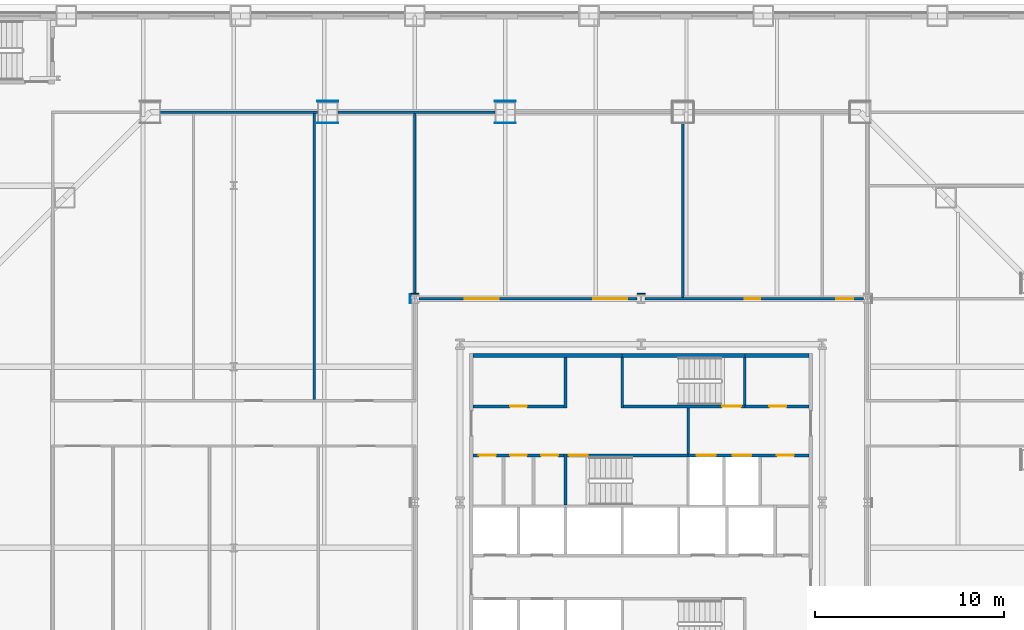
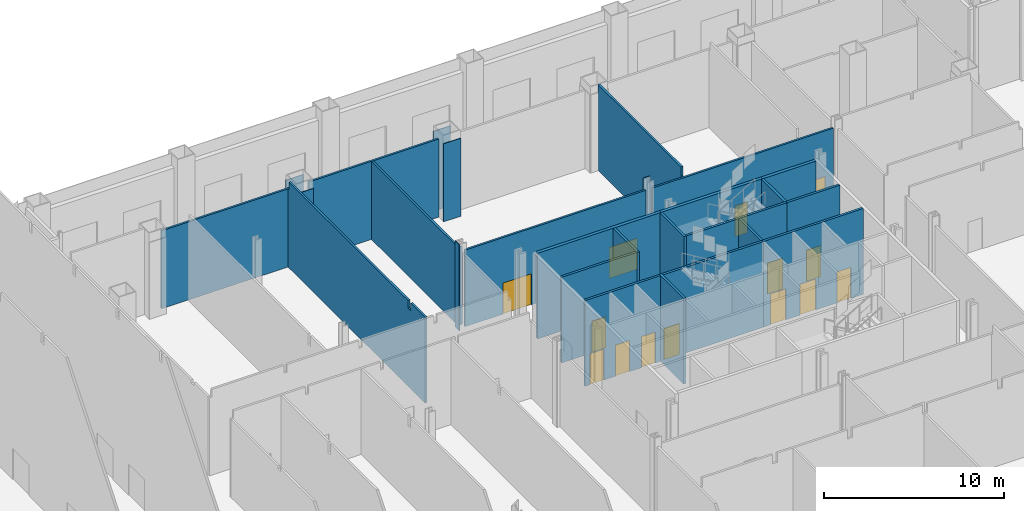
# One storey, part 20 of 31: 28 walls, 14 doors, 14 openings.
"""IFC4 building model written with IfcOpenShell, lengths in metres."""

from ifc_helpers import new_model, si_unit, direction, frame, frame_2d, origin, place, context, subcontext, project, spatial, polyline, rectangle, outline, extrude, material, layer, layer_set, type_object, element, fill, save


model = new_model("IFC4")

# Units and contexts
model_context = context("Model", 3, precision=1e-05, world=origin(), true_north=direction((0.0, 1.0)))
body_context = subcontext(model_context, "Body", "Model", "MODEL_VIEW")
ifc_project = project(units=[si_unit("LENGTHUNIT", "METRE"), si_unit("AREAUNIT", "SQUARE_METRE"), si_unit("VOLUMEUNIT", "CUBIC_METRE"), si_unit("PLANEANGLEUNIT", "RADIAN"), si_unit("MASSUNIT", "GRAM", prefix="KILO")], contexts=[model_context])

# Site, building, storey
site_placement = place(None, origin())
site = spatial("IfcSite", under=ifc_project, at=site_placement, CompositionType="ELEMENT")
building_placement = place(site_placement, origin())
building = spatial("IfcBuilding", under=site, at=building_placement, Name="Cairn Pilgrim Tower", CompositionType="ELEMENT")
storey_placement = place(building_placement, frame((0.0, 0.0, 9.0)))
storey = spatial("IfcBuildingStorey", under=building, at=storey_placement, Name="L01", CompositionType="ELEMENT", Elevation=9.0)

# Walls
ifc_material_1 = material(Name="Concrete C32/40", Category="concrete")
ifc_layer_1 = layer(ifc_material_1, 0.199951171875)
ifc_layer_set_1 = layer_set([ifc_layer_1], Name="CORE OUTER WALL 200 EI 120")
wall_type_1 = type_object("IfcWallType", Name="CORE OUTER WALL 200 EI 120", PredefinedType="SOLIDWALL", material=ifc_layer_set_1)
wall_1_placement = place(storey_placement, frame((-1.699951171875, 10.199951171875, 0.0), z_axis=(0.0, 0.0, 1.0), x_axis=(1.0, 0.0, 0.0)))
element("IfcWall", 1, at=wall_1_placement, inside=storey, type_object=wall_type_1, Name="CW:L01:H11-1", PredefinedType="SOLIDWALL", context=body_context, shape_type="SweptSolid", body=[
    extrude(rectangle(XDim=7.89990234375, YDim=0.199951171875, at=frame_2d((3.949951171875, 0.0))), origin(), (0.0, 0.0, 1.0), 5.800048828125),
])
wall_2_placement = place(storey_placement, frame((12.699951171875, 10.199951171875, 0.0), z_axis=(0.0, 0.0, 1.0), x_axis=(1.0, 0.0, 0.0)))
element("IfcWall", 2, at=wall_2_placement, inside=storey, type_object=wall_type_1, Name="CW:L01:H11-3", PredefinedType="SOLIDWALL", context=body_context, shape_type="SweptSolid", body=[
    extrude(rectangle(XDim=3.400146484375, YDim=0.199951171875, at=frame_2d((1.7001953125, 0.0))), origin(), (0.0, 0.0, 1.0), 5.800048828125),
])

# Wall, openings, doors
ifc_layer_2 = layer(ifc_material_1, 0.14990234375)
ifc_layer_set_2 = layer_set([ifc_layer_2], Name="CORE PARTITION 150 EI 60")
wall_type_2 = type_object("IfcWallType", Name="CORE PARTITION 150 EI 60", PredefinedType="PARTITIONING", material=ifc_layer_set_2)
wall_3_placement = place(storey_placement, frame((-1.699951171875, 4.89990234375, 0.0), z_axis=(0.0, 0.0, 1.0), x_axis=(1.0, 0.0, 0.0)))
wall_3 = element("IfcWall", 3, at=wall_3_placement, inside=storey, type_object=wall_type_2, Name="CW:L01:H07", PredefinedType="PARTITIONING", context=body_context, shape_type="SweptSolid", body=[
    extrude(rectangle(XDim=4.824951171875, YDim=0.14990234375, at=frame_2d((2.41259765625, 0.0))), origin(), (0.0, 0.0, 1.0), 5.800048828125),
])
opening_1_placement = place(wall_3_placement, frame((0.300048828125, 0.0, 0.0)))
opening_1 = element("IfcOpeningElement", 4, at=opening_1_placement, cuts=wall_3, Name="Opening RD-R3W1", PredefinedType="OPENING", context=body_context, shape_type="SweptSolid", body=[
    extrude(rectangle(XDim=0.89990234375, YDim=2.10009765625, at=frame_2d((0.449951171875, 1.050048828125))), frame((0.0, 0.0849609375, 0.0), z_axis=(0.0, -1.0, 0.0), x_axis=(1.0, 0.0, 0.0)), (0.0, 0.0, 1.0), 0.169921875),
])
opening_2_placement = place(wall_3_placement, frame((1.949951171875, 0.0, 0.0)))
opening_2 = element("IfcOpeningElement", 5, at=opening_2_placement, cuts=wall_3, Name="Opening RD-R3W2", PredefinedType="OPENING", context=body_context, shape_type="SweptSolid", body=[
    extrude(rectangle(XDim=0.89990234375, YDim=2.10009765625, at=frame_2d((0.449951171875, 1.050048828125))), frame((0.0, 0.0849609375, 0.0), z_axis=(0.0, -1.0, 0.0), x_axis=(1.0, 0.0, 0.0)), (0.0, 0.0, 1.0), 0.169921875),
])
opening_3_placement = place(wall_3_placement, frame((3.60009765625, 0.0, 0.0)))
opening_3 = element("IfcOpeningElement", 6, at=opening_3_placement, cuts=wall_3, Name="Opening RD-R3W3", PredefinedType="OPENING", context=body_context, shape_type="SweptSolid", body=[
    extrude(rectangle(XDim=0.89990234375, YDim=2.10009765625, at=frame_2d((0.449951171875, 1.050048828125))), frame((0.0, 0.0849609375, 0.0), z_axis=(0.0, -1.0, 0.0), x_axis=(1.0, 0.0, 0.0)), (0.0, 0.0, 1.0), 0.169921875),
])
ifc_material_2 = material(Name="Painted steel", Category="steel")
door_type_1 = type_object("IfcDoorType", Name="SERVICE ROOM DOOR 900x2100", OperationType="SINGLE_SWING_LEFT", PredefinedType="DOOR", material=ifc_material_2)
door_1_placement = place(opening_1_placement, origin())
door_1 = element("IfcDoor", 7, at=door_1_placement, inside=storey, type_object=door_type_1, Name="RD-R3W1", OperationType="SINGLE_SWING_RIGHT", OverallHeight=2.10009765625, OverallWidth=0.89990234375, PredefinedType="DOOR", context=body_context, shape_type="SweptSolid", body=[
    extrude(rectangle(XDim=0.89990234375, YDim=2.10009765625, at=frame_2d((0.449951171875, 1.050048828125))), frame((0.0, 0.02490234375, 0.0), z_axis=(0.0, -1.0, 0.0), x_axis=(1.0, 0.0, 0.0)), (0.0, 0.0, 1.0), 0.050048828125),
])
fill(opening_1, door_1)
door_2_placement = place(opening_2_placement, origin())
door_2 = element("IfcDoor", 8, at=door_2_placement, inside=storey, type_object=door_type_1, Name="RD-R3W2", OperationType="SINGLE_SWING_LEFT", OverallHeight=2.10009765625, OverallWidth=0.89990234375, PredefinedType="DOOR", context=body_context, shape_type="SweptSolid", body=[
    extrude(rectangle(XDim=0.89990234375, YDim=2.10009765625, at=frame_2d((0.449951171875, 1.050048828125))), frame((0.0, 0.02490234375, 0.0), z_axis=(0.0, -1.0, 0.0), x_axis=(1.0, 0.0, 0.0)), (0.0, 0.0, 1.0), 0.050048828125),
])
fill(opening_2, door_2)
door_3_placement = place(opening_3_placement, origin())
door_3 = element("IfcDoor", 9, at=door_3_placement, inside=storey, type_object=door_type_1, Name="RD-R3W3", OperationType="SINGLE_SWING_RIGHT", OverallHeight=2.10009765625, OverallWidth=0.89990234375, PredefinedType="DOOR", context=body_context, shape_type="SweptSolid", body=[
    extrude(rectangle(XDim=0.89990234375, YDim=2.10009765625, at=frame_2d((0.449951171875, 1.050048828125))), frame((0.0, 0.02490234375, 0.0), z_axis=(0.0, -1.0, 0.0), x_axis=(1.0, 0.0, 0.0)), (0.0, 0.0, 1.0), 0.050048828125),
])
fill(opening_3, door_3)

# Wall, opening, door
wall_4_placement = place(storey_placement, frame((-1.699951171875, 7.5, 0.0), z_axis=(0.0, 0.0, 1.0), x_axis=(1.0, 0.0, 0.0)))
wall_4 = element("IfcWall", 10, at=wall_4_placement, inside=storey, type_object=wall_type_2, Name="CW:L01:H09", PredefinedType="PARTITIONING", context=body_context, shape_type="SweptSolid", body=[
    extrude(rectangle(XDim=4.824951171875, YDim=0.14990234375, at=frame_2d((2.41259765625, 0.0))), origin(), (0.0, 0.0, 1.0), 5.800048828125),
])
opening_4_placement = place(wall_4_placement, frame((1.949951171875, 0.0, 0.0)))
opening_4 = element("IfcOpeningElement", 11, at=opening_4_placement, cuts=wall_4, Name="Opening RD-R4W1", PredefinedType="OPENING", context=body_context, shape_type="SweptSolid", body=[
    extrude(rectangle(XDim=0.89990234375, YDim=2.10009765625, at=frame_2d((0.449951171875, 1.050048828125))), frame((0.0, 0.0849609375, 0.0), z_axis=(0.0, -1.0, 0.0), x_axis=(1.0, 0.0, 0.0)), (0.0, 0.0, 1.0), 0.169921875),
])
door_4_placement = place(opening_4_placement, origin())
door_4 = element("IfcDoor", 12, at=door_4_placement, inside=storey, type_object=door_type_1, Name="RD-R4W1", OperationType="SINGLE_SWING_LEFT", OverallHeight=2.10009765625, OverallWidth=0.89990234375, PredefinedType="DOOR", context=body_context, shape_type="SweptSolid", body=[
    extrude(rectangle(XDim=0.89990234375, YDim=2.10009765625, at=frame_2d((0.449951171875, 1.050048828125))), frame((0.0, 0.02490234375, 0.0), z_axis=(0.0, -1.0, 0.0), x_axis=(1.0, 0.0, 0.0)), (0.0, 0.0, 1.0), 0.050048828125),
])
fill(opening_4, door_4)

# Wall
wall_5_placement = place(storey_placement, frame((3.199951171875, 7.425048828125, 0.0), z_axis=(0.0, 0.0, 1.0), x_axis=(0.0, 1.0, 0.0)))
element("IfcWall", 13, at=wall_5_placement, inside=storey, type_object=wall_type_2, Name="CW:L01:V20", PredefinedType="PARTITIONING", context=body_context, shape_type="SweptSolid", body=[
    extrude(rectangle(XDim=2.675048828125, YDim=0.14990234375, at=frame_2d((1.33740234375, 0.0))), origin(), (0.0, 0.0, 1.0), 5.800048828125),
])

# Wall, openings, doors
ifc_layer_3 = layer(ifc_material_1, 0.14990234375)
ifc_layer_set_3 = layer_set([ifc_layer_3], Name="CORE SHAFT WALL 150 EI 120")
wall_type_3 = type_object("IfcWallType", Name="CORE SHAFT WALL 150 EI 120", PredefinedType="SOLIDWALL", material=ifc_layer_set_3)
wall_6_placement = place(storey_placement, frame((9.699951171875, 4.89990234375, 0.0), z_axis=(0.0, 0.0, 1.0), x_axis=(1.0, 0.0, 0.0)))
wall_6 = element("IfcWall", 14, at=wall_6_placement, inside=storey, type_object=wall_type_3, Name="CW:L01:H08-2", PredefinedType="SOLIDWALL", context=body_context, shape_type="SweptSolid", body=[
    extrude(rectangle(XDim=6.400146484375, YDim=0.14990234375, at=frame_2d((3.2001953125, 0.0))), origin(), (0.0, 0.0, 1.0), 5.800048828125),
])
opening_5_placement = place(wall_6_placement, frame((0.449951171875, 0.0, 0.0)))
opening_5 = element("IfcOpeningElement", 15, at=opening_5_placement, cuts=wall_6, Name="Opening LD-FF1", PredefinedType="OPENING", context=body_context, shape_type="SweptSolid", body=[
    extrude(rectangle(XDim=1.0, YDim=2.10009765625, at=frame_2d((0.5, 1.050048828125))), frame((0.0, 0.0849609375, 0.0), z_axis=(0.0, -1.0, 0.0), x_axis=(1.0, 0.0, 0.0)), (0.0, 0.0, 1.0), 0.169921875),
])
opening_6_placement = place(wall_6_placement, frame((2.35009765625, 0.0, 0.0)))
opening_6 = element("IfcOpeningElement", 16, at=opening_6_placement, cuts=wall_6, Name="Opening LD-FF2", PredefinedType="OPENING", context=body_context, shape_type="SweptSolid", body=[
    extrude(rectangle(XDim=1.0, YDim=2.10009765625, at=frame_2d((0.5, 1.050048828125))), frame((0.0, 0.0849609375, 0.0), z_axis=(0.0, -1.0, 0.0), x_axis=(1.0, 0.0, 0.0)), (0.0, 0.0, 1.0), 0.169921875),
])
opening_7_placement = place(wall_6_placement, frame((4.699951171875, 0.0, 0.0)))
opening_7 = element("IfcOpeningElement", 17, at=opening_7_placement, cuts=wall_6, Name="Opening RD-R3E", PredefinedType="OPENING", context=body_context, shape_type="SweptSolid", body=[
    extrude(rectangle(XDim=0.89990234375, YDim=2.10009765625, at=frame_2d((0.449951171875, 1.050048828125))), frame((0.0, 0.0849609375, 0.0), z_axis=(0.0, -1.0, 0.0), x_axis=(1.0, 0.0, 0.0)), (0.0, 0.0, 1.0), 0.169921875),
])
ifc_material_3 = material(Name="Stainless steel", Category="steel")
door_type_2 = type_object("IfcDoorType", Name="LIFT LANDING DOOR FIRE 1000x2100", OperationType="DOUBLE_DOOR_SLIDING", PredefinedType="DOOR", material=ifc_material_3)
door_5_placement = place(opening_5_placement, origin())
door_5 = element("IfcDoor", 18, at=door_5_placement, inside=storey, type_object=door_type_2, Name="LANDING DOOR FF1", OperationType="DOUBLE_DOOR_SLIDING", OverallHeight=2.10009765625, OverallWidth=1.0, PredefinedType="DOOR", context=body_context, shape_type="SweptSolid", body=[
    extrude(rectangle(XDim=1.0, YDim=2.10009765625, at=frame_2d((0.5, 1.050048828125))), frame((0.0, 0.02490234375, 0.0), z_axis=(0.0, -1.0, 0.0), x_axis=(1.0, 0.0, 0.0)), (0.0, 0.0, 1.0), 0.050048828125),
])
fill(opening_5, door_5)
door_6_placement = place(opening_6_placement, origin())
door_6 = element("IfcDoor", 19, at=door_6_placement, inside=storey, type_object=door_type_2, Name="LANDING DOOR FF2", OperationType="DOUBLE_DOOR_SLIDING", OverallHeight=2.10009765625, OverallWidth=1.0, PredefinedType="DOOR", context=body_context, shape_type="SweptSolid", body=[
    extrude(rectangle(XDim=1.0, YDim=2.10009765625, at=frame_2d((0.5, 1.050048828125))), frame((0.0, 0.02490234375, 0.0), z_axis=(0.0, -1.0, 0.0), x_axis=(1.0, 0.0, 0.0)), (0.0, 0.0, 1.0), 0.050048828125),
])
fill(opening_6, door_6)
door_7_placement = place(opening_7_placement, origin())
door_7 = element("IfcDoor", 20, at=door_7_placement, inside=storey, type_object=door_type_1, Name="RD-R3E", OperationType="SINGLE_SWING_RIGHT", OverallHeight=2.10009765625, OverallWidth=0.89990234375, PredefinedType="DOOR", context=body_context, shape_type="SweptSolid", body=[
    extrude(rectangle(XDim=0.89990234375, YDim=2.10009765625, at=frame_2d((0.449951171875, 1.050048828125))), frame((0.0, 0.02490234375, 0.0), z_axis=(0.0, -1.0, 0.0), x_axis=(1.0, 0.0, 0.0)), (0.0, 0.0, 1.0), 0.050048828125),
])
fill(opening_7, door_7)

# Wall, opening, door
wall_7_placement = place(storey_placement, frame((12.699951171875, 7.5, 0.0), z_axis=(0.0, 0.0, 1.0), x_axis=(1.0, 0.0, 0.0)))
wall_7 = element("IfcWall", 21, at=wall_7_placement, inside=storey, type_object=wall_type_3, Name="CW:L01:H10-2", PredefinedType="SOLIDWALL", context=body_context, shape_type="SweptSolid", body=[
    extrude(rectangle(XDim=3.400146484375, YDim=0.14990234375, at=frame_2d((1.7001953125, 0.0))), origin(), (0.0, 0.0, 1.0), 5.800048828125),
])
opening_8_placement = place(wall_7_placement, frame((1.300048828125, 0.0, 0.0)))
opening_8 = element("IfcOpeningElement", 22, at=opening_8_placement, cuts=wall_7, Name="Opening RD-R4E", PredefinedType="OPENING", context=body_context, shape_type="SweptSolid", body=[
    extrude(rectangle(XDim=0.89990234375, YDim=2.10009765625, at=frame_2d((0.449951171875, 1.050048828125))), frame((0.0, 0.0849609375, 0.0), z_axis=(0.0, -1.0, 0.0), x_axis=(1.0, 0.0, 0.0)), (0.0, 0.0, 1.0), 0.169921875),
])
door_8_placement = place(opening_8_placement, origin())
door_8 = element("IfcDoor", 23, at=door_8_placement, inside=storey, type_object=door_type_1, Name="RD-R4E", OperationType="SINGLE_SWING_LEFT", OverallHeight=2.10009765625, OverallWidth=0.89990234375, PredefinedType="DOOR", context=body_context, shape_type="SweptSolid", body=[
    extrude(rectangle(XDim=0.89990234375, YDim=2.10009765625, at=frame_2d((0.449951171875, 1.050048828125))), frame((0.0, 0.02490234375, 0.0), z_axis=(0.0, -1.0, 0.0), x_axis=(1.0, 0.0, 0.0)), (0.0, 0.0, 1.0), 0.050048828125),
])
fill(opening_8, door_8)

# Walls
wall_8_placement = place(storey_placement, frame((9.699951171875, 4.97509765625, 0.0), z_axis=(0.0, 0.0, 1.0), x_axis=(0.0, 1.0, 0.0)))
element("IfcWall", 24, at=wall_8_placement, inside=storey, type_object=wall_type_3, Name="CW:L01:V26", PredefinedType="SOLIDWALL", context=body_context, shape_type="SweptSolid", body=[
    extrude(rectangle(XDim=2.449951171875, YDim=0.14990234375, at=frame_2d((1.22509765625, 0.0))), origin(), (0.0, 0.0, 1.0), 5.800048828125),
])
ifc_material_4 = material(Name="Gypsum partition")
ifc_layer_4 = layer(ifc_material_4, 0.125)
ifc_layer_set_4 = layer_set([ifc_layer_4], Name="PARTITION 125 DRYWALL EI 60")
wall_type_4 = type_object("IfcWallType", Name="PARTITION 125 DRYWALL EI 60", PredefinedType="PARTITIONING", material=ifc_layer_set_4)
wall_9_placement = place(storey_placement, frame((-10.133056640625, 7.862548828125, 0.0), z_axis=(0.0, 0.0, 1.0), x_axis=(0.0, 1.0, 0.0)))
element("IfcWall", 25, at=wall_9_placement, inside=storey, type_object=wall_type_4, Name="PARTITION W053", PredefinedType="PARTITIONING", context=body_context, shape_type="SweptSolid", body=[
    extrude(outline(polyline([(0.0, 0.0), (15.175048828125, 0.0), (15.175048828125, 5.280029296875), (15.08740234375, 5.280029296875), (15.08544921875, 5.800048828125), (1.887451171875, 5.800048828125), (1.885498046875, 5.280029296875), (1.58740234375, 5.280029296875), (1.58544921875, 5.800048828125), (0.0, 5.800048828125), (0.0, 0.0)])), frame((0.0, 0.0625, 0.0), z_axis=(0.0, -1.0, 0.0), x_axis=(1.0, 0.0, 0.0)), (0.0, 0.0, 1.0), 0.125),
])

# Wall, openings, doors
wall_10_placement = place(storey_placement, frame((-4.587890625, 13.199951171875, 0.0), z_axis=(0.0, 0.0, 1.0), x_axis=(1.0, 0.0, 0.0)))
wall_10 = element("IfcWall", 26, at=wall_10_placement, inside=storey, type_object=wall_type_4, Name="PARTITION W058", PredefinedType="PARTITIONING", context=body_context, shape_type="SweptSolid", body=[
    extrude(rectangle(XDim=11.575927734375, YDim=0.125, at=frame_2d((5.7880859375, 0.0))), origin(), (0.0, 0.0, 1.0), 5.179931640625),
])
opening_9_placement = place(wall_10_placement, frame((2.4404296875, 0.0, 0.0)))
opening_9 = element("IfcOpeningElement", 27, at=opening_9_placement, cuts=wall_10, Name="Opening 0108", PredefinedType="OPENING", context=body_context, shape_type="SweptSolid", body=[
    extrude(rectangle(XDim=1.800048828125, YDim=2.10009765625, at=frame_2d((0.89990234375, 1.050048828125))), frame((0.0, 0.072509765625, 0.0), z_axis=(0.0, -1.0, 0.0), x_axis=(1.0, 0.0, 0.0)), (0.0, 0.0, 1.0), 0.14501953125),
])
opening_10_placement = place(wall_10_placement, frame((9.24560546875, 0.0, 0.0)))
opening_10 = element("IfcOpeningElement", 28, at=opening_10_placement, cuts=wall_10, Name="Opening 0109", PredefinedType="OPENING", context=body_context, shape_type="SweptSolid", body=[
    extrude(rectangle(XDim=1.800048828125, YDim=2.10009765625, at=frame_2d((0.89990234375, 1.050048828125))), frame((0.0, 0.072509765625, 0.0), z_axis=(0.0, -1.0, 0.0), x_axis=(1.0, 0.0, 0.0)), (0.0, 0.0, 1.0), 0.14501953125),
])
ifc_material_5 = material(Name="Timber door leaf", Category="wood")
door_type_3 = type_object("IfcDoorType", Name="DOOR PAIR 1800x2100 FD60S", OperationType="NOTDEFINED", PredefinedType="DOOR", material=ifc_material_5)
door_9_placement = place(opening_9_placement, frame((1.800048828125, 0.0, 0.0), z_axis=(0.0, 0.0, 1.0), x_axis=(-1.0, 0.0, 0.0)))
door_9 = element("IfcDoor", 29, at=door_9_placement, inside=storey, type_object=door_type_3, Name="DOOR 0108", OperationType="DOUBLE_DOOR_SINGLE_SWING", OverallHeight=2.10009765625, OverallWidth=1.800048828125, PredefinedType="DOOR", context=body_context, shape_type="SweptSolid", body=[
    extrude(rectangle(XDim=1.800048828125, YDim=2.10009765625, at=frame_2d((0.89990234375, 1.050048828125))), frame((0.0, 0.02490234375, 0.0), z_axis=(0.0, -1.0, 0.0), x_axis=(1.0, 0.0, 0.0)), (0.0, 0.0, 1.0), 0.050048828125),
])
fill(opening_9, door_9)
door_10_placement = place(opening_10_placement, frame((1.800048828125, 0.0, 0.0), z_axis=(0.0, 0.0, 1.0), x_axis=(-1.0, 0.0, 0.0)))
door_10 = element("IfcDoor", 30, at=door_10_placement, inside=storey, type_object=door_type_3, Name="DOOR 0109", OperationType="DOUBLE_DOOR_SINGLE_SWING", OverallHeight=2.10009765625, OverallWidth=1.800048828125, PredefinedType="DOOR", context=body_context, shape_type="SweptSolid", body=[
    extrude(rectangle(XDim=1.800048828125, YDim=2.10009765625, at=frame_2d((0.89990234375, 1.050048828125))), frame((0.0, 0.02490234375, 0.0), z_axis=(0.0, -1.0, 0.0), x_axis=(1.0, 0.0, 0.0)), (0.0, 0.0, 1.0), 0.050048828125),
])
fill(opening_10, door_10)

wall_11_placement = place(storey_placement, frame((7.412109375, 13.199951171875, 0.0), z_axis=(0.0, 0.0, 1.0), x_axis=(1.0, 0.0, 0.0)))
wall_11 = element("IfcWall", 31, at=wall_11_placement, inside=storey, type_object=wall_type_4, Name="PARTITION W059", PredefinedType="PARTITIONING", context=body_context, shape_type="SweptSolid", body=[
    extrude(rectangle(XDim=11.575927734375, YDim=0.125, at=frame_2d((5.7880859375, 0.0))), origin(), (0.0, 0.0, 1.0), 5.179931640625),
])
opening_11_placement = place(wall_11_placement, frame((5.29296875, 0.0, 0.0)))
opening_11 = element("IfcOpeningElement", 32, at=opening_11_placement, cuts=wall_11, Name="Opening 0110", PredefinedType="OPENING", context=body_context, shape_type="SweptSolid", body=[
    extrude(rectangle(XDim=0.800048828125, YDim=2.10009765625, at=frame_2d((0.39990234375, 1.050048828125))), frame((0.0, 0.072509765625, 0.0), z_axis=(0.0, -1.0, 0.0), x_axis=(1.0, 0.0, 0.0)), (0.0, 0.0, 1.0), 0.14501953125),
])
opening_12_placement = place(wall_11_placement, frame((10.137939453125, 0.0, 0.0)))
opening_12 = element("IfcOpeningElement", 33, at=opening_12_placement, cuts=wall_11, Name="Opening 0111", PredefinedType="OPENING", context=body_context, shape_type="SweptSolid", body=[
    extrude(rectangle(XDim=0.89990234375, YDim=2.10009765625, at=frame_2d((0.449951171875, 1.050048828125))), frame((0.0, 0.072509765625, 0.0), z_axis=(0.0, -1.0, 0.0), x_axis=(1.0, 0.0, 0.0)), (0.0, 0.0, 1.0), 0.14501953125),
])
door_type_4 = type_object("IfcDoorType", Name="SERVICE DOOR 900x2100 FD30S", OperationType="NOTDEFINED", PredefinedType="DOOR", material=ifc_material_5)
door_11_placement = place(opening_12_placement, frame((0.89990234375, 0.0, 0.0), z_axis=(0.0, 0.0, 1.0), x_axis=(-1.0, 0.0, 0.0)))
door_11 = element("IfcDoor", 34, at=door_11_placement, inside=storey, type_object=door_type_4, Name="DOOR 0111", OperationType="SINGLE_SWING_RIGHT", OverallHeight=2.10009765625, OverallWidth=0.89990234375, PredefinedType="DOOR", context=body_context, shape_type="SweptSolid", body=[
    extrude(rectangle(XDim=0.89990234375, YDim=2.10009765625, at=frame_2d((0.449951171875, 1.050048828125))), frame((0.0, 0.02490234375, 0.0), z_axis=(0.0, -1.0, 0.0), x_axis=(1.0, 0.0, 0.0)), (0.0, 0.0, 1.0), 0.050048828125),
])
fill(opening_12, door_11)
door_type_5 = type_object("IfcDoorType", Name="WC DOOR 800x2100 FD30S", OperationType="NOTDEFINED", PredefinedType="DOOR", material=ifc_material_5)
door_12_placement = place(opening_11_placement, frame((0.800048828125, 0.0, 0.0), z_axis=(0.0, 0.0, 1.0), x_axis=(-1.0, 0.0, 0.0)))
door_12 = element("IfcDoor", 35, at=door_12_placement, inside=storey, type_object=door_type_5, Name="DOOR 0110", OperationType="SINGLE_SWING_RIGHT", OverallHeight=2.10009765625, OverallWidth=0.800048828125, PredefinedType="DOOR", context=body_context, shape_type="SweptSolid", body=[
    extrude(rectangle(XDim=0.800048828125, YDim=2.10009765625, at=frame_2d((0.39990234375, 1.050048828125))), frame((0.0, 0.02490234375, 0.0), z_axis=(0.0, -1.0, 0.0), x_axis=(1.0, 0.0, 0.0)), (0.0, 0.0, 1.0), 0.050048828125),
])
fill(opening_11, door_12)

# Walls
wall_12_placement = place(storey_placement, frame((9.409912109375, 13.262451171875, 0.0), z_axis=(0.0, 0.0, 1.0), x_axis=(0.0, 1.0, 0.0)))
element("IfcWall", 36, at=wall_12_placement, inside=storey, type_object=wall_type_4, Name="PARTITION W061", PredefinedType="PARTITIONING", context=body_context, shape_type="SweptSolid", body=[
    extrude(outline(polyline([(0.0, 0.0), (9.28759765625, 0.0), (9.28759765625, 5.800048828125), (0.08740234375, 5.800048828125), (0.08544921875, 5.179931640625), (0.0, 5.179931640625), (0.0, 0.0)])), frame((0.0, 0.0625, 0.0), z_axis=(0.0, -1.0, 0.0), x_axis=(1.0, 0.0, 0.0)), (0.0, 0.0, 1.0), 0.125),
])
wall_13_placement = place(storey_placement, frame((-4.800048828125, 13.43701171875, 0.0), z_axis=(0.0, 0.0, 1.0), x_axis=(0.0, 1.0, 0.0)))
element("IfcWall", 37, at=wall_13_placement, inside=storey, type_object=wall_type_4, Name="PARTITION W063", PredefinedType="PARTITIONING", context=body_context, shape_type="SweptSolid", body=[
    extrude(rectangle(XDim=9.6005859375, YDim=0.125, at=frame_2d((4.80029296875, 0.0))), origin(), (0.0, 0.0, 1.0), 5.280029296875),
])
for number, where, z_axis, x_axis, name in (
    (38, (-18.277099609375, 23.10009765625, 0.0), (0.0, 0.0, 1.0), (1.0, 0.0, 0.0), "PARTITION W071"),
    (39, (-8.863525390625, 23.10009765625, 0.0), (0.0, 0.0, 1.0), (1.0, 0.0, 0.0), "PARTITION W072"),
):
    element("IfcWall", number, at=place(storey_placement, frame(where, z_axis=z_axis, x_axis=x_axis)), inside=storey, type_object=wall_type_4, Name=name, PredefinedType="PARTITIONING", context=body_context, shape_type="SweptSolid", body=[
        extrude(rectangle(XDim=8.3134765625, YDim=0.125, at=frame_2d((4.15673828125, 0.0))), origin(), (0.0, 0.0, 1.0), 5.280029296875),
    ])
ifc_layer_5 = layer(ifc_material_4, 0.050048828125)
ifc_layer_set_5 = layer_set([ifc_layer_5], Name="PARTITION 50 DRYWALL EI 60")
wall_type_5 = type_object("IfcWallType", Name="PARTITION 50 DRYWALL EI 60", PredefinedType="PARTITIONING", material=ifc_layer_set_5)
wall_14_placement = place(storey_placement, frame((-5.037109375, 12.962890625, 0.0), z_axis=(0.0, 0.0, 1.0), x_axis=(0.0, 1.0, 0.0)))
element("IfcWall", 40, at=wall_14_placement, inside=storey, type_object=wall_type_5, Name="COLUMN CASING WC28", PredefinedType="PARTITIONING", context=body_context, shape_type="SweptSolid", body=[
    extrude(rectangle(XDim=0.47412109375, YDim=0.050048828125, at=frame_2d((0.237060546875, 0.0))), origin(), (0.0, 0.0, 1.0), 5.800048828125),
])
wall_15_placement = place(storey_placement, frame((-5.011962890625, 13.4619140625, 0.0), z_axis=(0.0, 0.0, 1.0), x_axis=(1.0, 0.0, 0.0)))
element("IfcWall", 41, at=wall_15_placement, inside=storey, type_object=wall_type_5, Name="COLUMN CASING WC32", PredefinedType="PARTITIONING", context=body_context, shape_type="SweptSolid", body=[
    extrude(rectangle(XDim=0.424072265625, YDim=0.050048828125, at=frame_2d((0.2119140625, 0.0))), origin(), (0.0, 0.0, 1.0), 5.280029296875),
])
wall_16_placement = place(storey_placement, frame((6.988037109375, 13.4619140625, 0.0), z_axis=(0.0, 0.0, 1.0), x_axis=(1.0, 0.0, 0.0)))
element("IfcWall", 42, at=wall_16_placement, inside=storey, type_object=wall_type_5, Name="COLUMN CASING WC33", PredefinedType="PARTITIONING", context=body_context, shape_type="SweptSolid", body=[
    extrude(rectangle(XDim=0.424072265625, YDim=0.050048828125, at=frame_2d((0.2119140625, 0.0))), origin(), (0.0, 0.0, 1.0), 5.800048828125),
])
wall_17_placement = place(storey_placement, frame((-9.963623046875, 22.52490234375, 0.0), z_axis=(0.0, 0.0, 1.0), x_axis=(1.0, 0.0, 0.0)))
element("IfcWall", 43, at=wall_17_placement, inside=storey, type_object=wall_type_5, Name="COLUMN CASING WC40", PredefinedType="PARTITIONING", context=body_context, shape_type="SweptSolid", body=[
    extrude(rectangle(XDim=1.10009765625, YDim=0.050048828125, at=frame_2d((0.550048828125, 0.0))), origin(), (0.0, 0.0, 1.0), 5.179931640625),
])
wall_18_placement = place(storey_placement, frame((-9.963623046875, 23.675048828125, 0.0), z_axis=(0.0, 0.0, 1.0), x_axis=(1.0, 0.0, 0.0)))
element("IfcWall", 44, at=wall_18_placement, inside=storey, type_object=wall_type_5, Name="COLUMN CASING WC41", PredefinedType="PARTITIONING", context=body_context, shape_type="SweptSolid", body=[
    extrude(rectangle(XDim=1.10009765625, YDim=0.050048828125, at=frame_2d((0.550048828125, 0.0))), origin(), (0.0, 0.0, 1.0), 5.419921875),
])
wall_19_placement = place(storey_placement, frame((-0.550048828125, 22.52490234375, 0.0), z_axis=(0.0, 0.0, 1.0), x_axis=(1.0, 0.0, 0.0)))
element("IfcWall", 45, at=wall_19_placement, inside=storey, type_object=wall_type_5, Name="COLUMN CASING WC42", PredefinedType="PARTITIONING", context=body_context, shape_type="SweptSolid", body=[
    extrude(rectangle(XDim=1.10009765625, YDim=0.050048828125, at=frame_2d((0.550048828125, 0.0))), origin(), (0.0, 0.0, 1.0), 5.280029296875),
])
wall_20_placement = place(storey_placement, frame((-0.550048828125, 23.675048828125, 0.0), z_axis=(0.0, 0.0, 1.0), x_axis=(1.0, 0.0, 0.0)))
element("IfcWall", 46, at=wall_20_placement, inside=storey, type_object=wall_type_5, Name="COLUMN CASING WC43", PredefinedType="PARTITIONING", context=body_context, shape_type="SweptSolid", body=[
    extrude(rectangle(XDim=1.10009765625, YDim=0.050048828125, at=frame_2d((0.550048828125, 0.0))), origin(), (0.0, 0.0, 1.0), 5.419921875),
])

# Wall, opening, door
ifc_material_6 = material(Name="Concrete C35/45", Category="concrete")
ifc_layer_6 = layer(ifc_material_6, 0.14990234375)
ifc_layer_set_6 = layer_set([ifc_layer_6], Name="STAIR SHAFT WALL 150 EI 120")
wall_type_6 = type_object("IfcWallType", Name="STAIR SHAFT WALL 150 EI 120", PredefinedType="SOLIDWALL", material=ifc_layer_set_6)
wall_21_placement = place(storey_placement, frame((3.27490234375, 4.89990234375, 0.0), z_axis=(0.0, 0.0, 1.0), x_axis=(1.0, 0.0, 0.0)))
wall_21 = element("IfcWall", 47, at=wall_21_placement, inside=storey, type_object=wall_type_6, Name="CW:L01:H08-1", PredefinedType="SOLIDWALL", context=body_context, shape_type="SweptSolid", body=[
    extrude(rectangle(XDim=6.425048828125, YDim=0.14990234375, at=frame_2d((3.21240234375, 0.0))), origin(), (0.0, 0.0, 1.0), 5.800048828125),
])
opening_13_placement = place(wall_21_placement, frame((0.10009765625, 0.0, 0.0)))
opening_13 = element("IfcOpeningElement", 48, at=opening_13_placement, cuts=wall_21, Name="Opening SD-B", PredefinedType="OPENING", context=body_context, shape_type="SweptSolid", body=[
    extrude(rectangle(XDim=1.0, YDim=2.10009765625, at=frame_2d((0.5, 1.050048828125))), frame((0.0, 0.0849609375, 0.0), z_axis=(0.0, -1.0, 0.0), x_axis=(1.0, 0.0, 0.0)), (0.0, 0.0, 1.0), 0.169921875),
])
door_type_6 = type_object("IfcDoorType", Name="STAIR DOOR FD60S 1000x2100", OperationType="SINGLE_SWING_LEFT", PredefinedType="DOOR", material=ifc_material_2)
door_13_placement = place(opening_13_placement, origin())
door_13 = element("IfcDoor", 49, at=door_13_placement, inside=storey, type_object=door_type_6, Name="SD-B", OperationType="SINGLE_SWING_LEFT", OverallHeight=2.10009765625, OverallWidth=1.0, PredefinedType="DOOR", context=body_context, shape_type="SweptSolid", body=[
    extrude(rectangle(XDim=1.0, YDim=2.10009765625, at=frame_2d((0.5, 1.050048828125))), frame((0.0, 0.02490234375, 0.0), z_axis=(0.0, -1.0, 0.0), x_axis=(1.0, 0.0, 0.0)), (0.0, 0.0, 1.0), 0.050048828125),
])
fill(opening_13, door_13)

wall_22_placement = place(storey_placement, frame((6.27490234375, 7.5, 0.0), z_axis=(0.0, 0.0, 1.0), x_axis=(1.0, 0.0, 0.0)))
wall_22 = element("IfcWall", 50, at=wall_22_placement, inside=storey, type_object=wall_type_6, Name="CW:L01:H10-1", PredefinedType="SOLIDWALL", context=body_context, shape_type="SweptSolid", body=[
    extrude(rectangle(XDim=6.425048828125, YDim=0.14990234375, at=frame_2d((3.21240234375, 0.0))), origin(), (0.0, 0.0, 1.0), 5.800048828125),
])
opening_14_placement = place(wall_22_placement, frame((5.22509765625, 0.0, 0.0)))
opening_14 = element("IfcOpeningElement", 51, at=opening_14_placement, cuts=wall_22, Name="Opening SD-C", PredefinedType="OPENING", context=body_context, shape_type="SweptSolid", body=[
    extrude(rectangle(XDim=1.0, YDim=2.10009765625, at=frame_2d((0.5, 1.050048828125))), frame((0.0, 0.0849609375, 0.0), z_axis=(0.0, -1.0, 0.0), x_axis=(1.0, 0.0, 0.0)), (0.0, 0.0, 1.0), 0.169921875),
])
door_14_placement = place(opening_14_placement, origin())
door_14 = element("IfcDoor", 52, at=door_14_placement, inside=storey, type_object=door_type_6, Name="SD-C", OperationType="SINGLE_SWING_RIGHT", OverallHeight=2.10009765625, OverallWidth=1.0, PredefinedType="DOOR", context=body_context, shape_type="SweptSolid", body=[
    extrude(rectangle(XDim=1.0, YDim=2.10009765625, at=frame_2d((0.5, 1.050048828125))), frame((0.0, 0.02490234375, 0.0), z_axis=(0.0, -1.0, 0.0), x_axis=(1.0, 0.0, 0.0)), (0.0, 0.0, 1.0), 0.050048828125),
])
fill(opening_14, door_14)

# Walls
wall_23_placement = place(storey_placement, frame((3.199951171875, 2.27490234375, 0.0), z_axis=(0.0, 0.0, 1.0), x_axis=(0.0, 1.0, 0.0)))
element("IfcWall", 53, at=wall_23_placement, inside=storey, type_object=wall_type_6, Name="CW:L01:V19", PredefinedType="SOLIDWALL", context=body_context, shape_type="SweptSolid", body=[
    extrude(rectangle(XDim=2.7001953125, YDim=0.14990234375, at=frame_2d((1.35009765625, 0.0))), origin(), (0.0, 0.0, 1.0), 5.800048828125),
])
wall_24_placement = place(storey_placement, frame((6.199951171875, 7.425048828125, 0.0), z_axis=(0.0, 0.0, 1.0), x_axis=(0.0, 1.0, 0.0)))
element("IfcWall", 54, at=wall_24_placement, inside=storey, type_object=wall_type_6, Name="CW:L01:V23", PredefinedType="SOLIDWALL", context=body_context, shape_type="SweptSolid", body=[
    extrude(rectangle(XDim=2.675048828125, YDim=0.14990234375, at=frame_2d((1.33740234375, 0.0))), origin(), (0.0, 0.0, 1.0), 5.800048828125),
])
wall_25_placement = place(storey_placement, frame((12.699951171875, 7.574951171875, 0.0), z_axis=(0.0, 0.0, 1.0), x_axis=(0.0, 1.0, 0.0)))
element("IfcWall", 55, at=wall_25_placement, inside=storey, type_object=wall_type_6, Name="CW:L01:V30", PredefinedType="SOLIDWALL", context=body_context, shape_type="SweptSolid", body=[
    extrude(rectangle(XDim=2.525146484375, YDim=0.14990234375, at=frame_2d((1.2626953125, 0.0))), origin(), (0.0, 0.0, 1.0), 5.800048828125),
])
ifc_layer_7 = layer(ifc_material_6, 0.199951171875)
ifc_layer_set_7 = layer_set([ifc_layer_7], Name="STAIR SHAFT WALL 200 EI 120")
wall_type_7 = type_object("IfcWallType", Name="STAIR SHAFT WALL 200 EI 120", PredefinedType="SOLIDWALL", material=ifc_layer_set_7)
wall_26_placement = place(storey_placement, frame((6.199951171875, 10.199951171875, 0.0), z_axis=(0.0, 0.0, 1.0), x_axis=(1.0, 0.0, 0.0)))
element("IfcWall", 56, at=wall_26_placement, inside=storey, type_object=wall_type_7, Name="CW:L01:H11-2", PredefinedType="SOLIDWALL", context=body_context, shape_type="SweptSolid", body=[
    extrude(rectangle(XDim=6.5, YDim=0.199951171875, at=frame_2d((3.25, 0.0))), origin(), (0.0, 0.0, 1.0), 5.800048828125),
])

save(model, "model.ifc")
